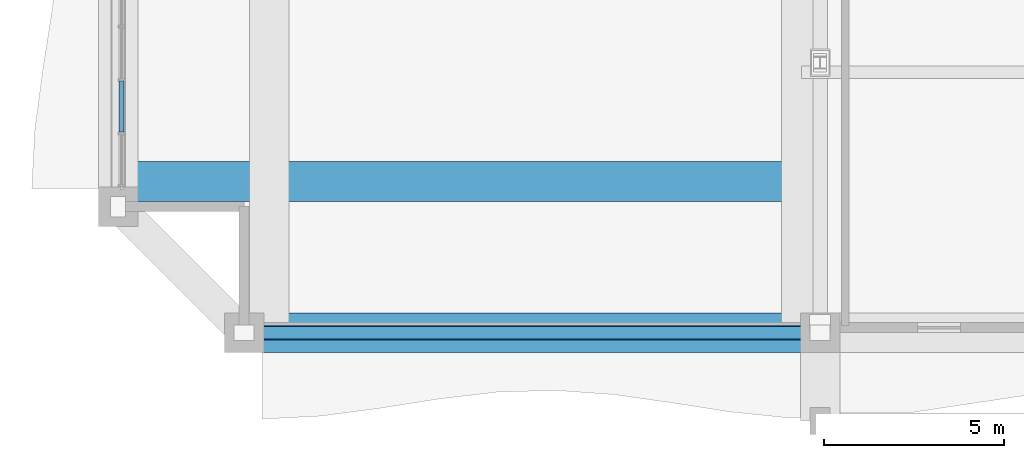
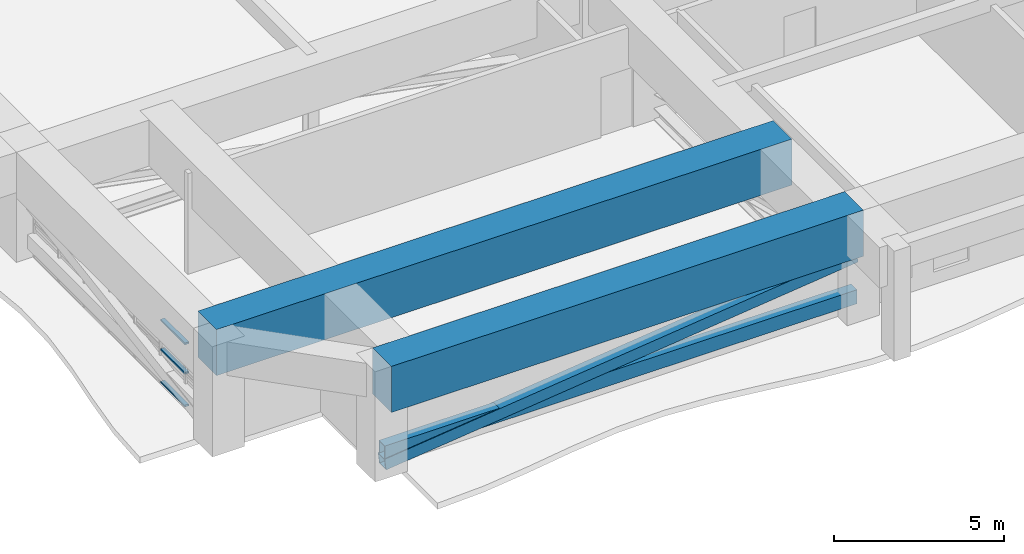
# One storey, part 3 of 35: 5 members, 2 beams, 1 element without a shape of its own.
"""IFC4 building model written with IfcOpenShell, lengths in metres."""

from ifc_helpers import new_model, si_unit, direction, frame, origin, origin_2d, place, context, subcontext, project, spatial, rectangle, hollow_rectangle, extrude, source, transform, mapped, material, layer, layer_set, material_profile, profile_set, type_object, element, aggregate, save


model = new_model("IFC4")

# Units and contexts
model_context = context("Model", 3, precision=1e-05, world=origin(), true_north=direction((0.0, 1.0)))
body_context = subcontext(model_context, "Body", "Model", "MODEL_VIEW")
ifc_project = project(units=[si_unit("LENGTHUNIT", "METRE"), si_unit("AREAUNIT", "SQUARE_METRE"), si_unit("VOLUMEUNIT", "CUBIC_METRE"), si_unit("PLANEANGLEUNIT", "RADIAN"), si_unit("MASSUNIT", "GRAM", prefix="KILO")], contexts=[model_context])

# Site, building, storey
site_placement = place(None, origin())
site = spatial("IfcSite", under=ifc_project, at=site_placement, CompositionType="ELEMENT")
building_placement = place(site_placement, origin())
building = spatial("IfcBuilding", under=site, at=building_placement, Name="Saelheon Loggia Tower", CompositionType="ELEMENT")
storey_placement = place(building_placement, frame((0.0, 0.0, 70.39990234375)))
storey = spatial("IfcBuildingStorey", under=building, at=storey_placement, Name="L22", CompositionType="ELEMENT", Elevation=70.39990234375)

# Beams
ifc_material_1 = material(Name="Concrete C50/60", Category="concrete")
ifc_material_profile_1 = material_profile(ifc_material_1, rectangle(XDim=1.10009765625, YDim=1.64990234375, at=origin_2d()), Name="RC-1100x1650")
ifc_profile_set_1 = profile_set([ifc_material_profile_1], Name="Concrete C50/60")
beam_type_1 = type_object("IfcBeamType", Name="Beam_PerimMega_RC1100x1650", PredefinedType="BEAM", material=ifc_profile_set_1)
shared_shape_1 = source(origin(), body_context, "Body", "SweptSolid", [
    extrude(rectangle(XDim=1.10009765625, YDim=1.64990234375, at=origin_2d()), origin(), (0.0, 0.0, 1.0), 16.0),
])
beam_1_placement = place(storey_placement, frame((15.5, 3.0, 3.125), z_axis=(1.0, 0.0, 0.0), x_axis=(0.0, 1.0, 0.0)))
element("IfcBeam", 1, at=beam_1_placement, inside=storey, type_object=beam_type_1, Name="L22 Perimeter Frame Girder 01", PredefinedType="BEAM", context=body_context, shape_type="MappedRepresentation", body=[
    mapped(shared_shape_1, transform((0.0, 0.0, 0.0), scale=1.0)),
])
ifc_material_profile_2 = material_profile(ifc_material_1, rectangle(XDim=1.10009765625, YDim=1.64990234375, at=origin_2d()), Name="RC-1100x1650")
ifc_profile_set_2 = profile_set([ifc_material_profile_2], Name="Concrete C50/60")
beam_type_2 = type_object("IfcBeamType", Name="Beam_MegaTransfer_RC1100x1650", PredefinedType="BEAM", material=ifc_profile_set_2)
shared_shape_2 = source(origin(), body_context, "Body", "SweptSolid", [
    extrude(rectangle(XDim=1.10009765625, YDim=1.64990234375, at=origin_2d()), origin(), (0.0, 0.0, 1.0), 19.5),
])
beam_2_placement = place(storey_placement, frame((12.0, 7.199951171875, 3.125), z_axis=(1.0, 0.0, 0.0), x_axis=(0.0, 1.0, 0.0)))
element("IfcBeam", 2, at=beam_2_placement, inside=storey, type_object=beam_type_2, Name="TG-L22-SH-SW", PredefinedType="BEAM", context=body_context, shape_type="MappedRepresentation", body=[
    mapped(shared_shape_2, transform((0.0, 0.0, 0.0), scale=1.0)),
])

# Members
ifc_material_2 = material(Name="Steel SM355", Category="steel")
ifc_material_profile_3 = material_profile(ifc_material_2, hollow_rectangle(XDim=0.35009765625, YDim=0.5, WallThickness=0.02197265625, at=origin_2d()), Name="RHS-500x350x22")
ifc_profile_set_3 = profile_set([ifc_material_profile_3], Name="Steel SM355")
member_type_1 = type_object("IfcMemberType", Name="Belt_Chord_RHS500", PredefinedType="CHORD", material=ifc_profile_set_3)
shared_shape_3 = source(origin(), body_context, "Body", "SweptSolid", [
    extrude(hollow_rectangle(XDim=0.35009765625, YDim=0.5, WallThickness=0.02197265625, at=origin_2d()), origin(), (0.0, 0.0, 1.0), 16.0),
])
member_1_placement = place(storey_placement, frame((15.5, 3.0, 0.6201171875), z_axis=(1.0, 0.0, 0.0), x_axis=(0.0, 1.0, 0.0)))
element("IfcMember", 3, at=member_1_placement, inside=storey, type_object=member_type_1, Name="L22 Belt Truss Chord BS1", PredefinedType="CHORD", context=body_context, shape_type="MappedRepresentation", body=[
    mapped(shared_shape_3, transform((0.0, 0.0, 0.0), scale=1.0)),
])
ifc_material_profile_4 = material_profile(ifc_material_2, hollow_rectangle(XDim=0.39990234375, YDim=0.39990234375, WallThickness=0.02001953125, at=origin_2d()), Name="RHS-400x400x20")
ifc_profile_set_4 = profile_set([ifc_material_profile_4], Name="Steel SM355")
member_type_2 = type_object("IfcMemberType", Name="Belt_Brace_RHS400", PredefinedType="BRACE", material=ifc_profile_set_4)
shared_shape_4 = source(origin(), body_context, "Body", "SweptSolid", [
    extrude(hollow_rectangle(XDim=0.39990234375, YDim=0.39990234375, WallThickness=0.02001953125, at=origin_2d()), origin(), (0.0, 0.0, 1.0), 16.106689453125),
])
member_2_placement = place(storey_placement, frame((15.5, 3.0, 0.22021484375), z_axis=(0.993382754474, 0.0, 0.114850786295), x_axis=(0.0, 1.0, 0.0)))
element("IfcMember", 4, at=member_2_placement, inside=storey, type_object=member_type_2, Name="L22 Belt Truss Brace BS1", PredefinedType="BRACE", context=body_context, shape_type="MappedRepresentation", body=[
    mapped(shared_shape_4, transform((0.0, 0.0, 0.0), scale=1.0)),
])

# Curtain wall, members
ifc_material_3 = material(Name="Anodised Aluminium Acoustic Louvre Curtain Wall", Category="aluminium")
ifc_layer = layer(ifc_material_3, 0.179931640625)
ifc_layer_set = layer_set([ifc_layer], Name="Anodised Aluminium Acoustic Louvre Curtain Wall")
curtain_wall_type = type_object("IfcCurtainWallType", Name="CW_RefugeAcoustic", PredefinedType="NOTDEFINED", material=ifc_layer_set)
curtain_wall_placement = place(storey_placement, origin())
curtain_wall = element("IfcCurtainWall", 5, at=curtain_wall_placement, inside=storey, type_object=curtain_wall_type, Name="L22 W Refuge Acoustic Curtain Wall 1", PredefinedType="NOTDEFINED")
ifc_material_4 = material(Name="Anodised Aluminium 6063-T6", Category="aluminium")
ifc_material_profile_5 = material_profile(ifc_material_4, hollow_rectangle(XDim=0.06494140625, YDim=0.139892578125, WallThickness=0.00390625, at=origin_2d()), Name="RHS-140x65x4")
ifc_profile_set_5 = profile_set([ifc_material_profile_5], Name="Anodised Aluminium 6063-T6")
member_type_3 = type_object("IfcMemberType", Name="CW_RefugeAcoustic_Transom", PredefinedType="USERDEFINED", material=ifc_profile_set_5)
shared_shape_5 = source(origin(), body_context, "Body", "SweptSolid", [
    extrude(hollow_rectangle(XDim=0.06494140625, YDim=0.139892578125, WallThickness=0.00390625, at=origin_2d()), origin(), (0.0, 0.0, 1.0), 1.4208984375),
])
member_3_placement = place(storey_placement, frame((12.10009765625, 8.568115234375, 0.03271484375), z_axis=(0.0, 1.0, 0.0), x_axis=(0.0, 0.0, 1.0)))
member_3 = element("IfcMember", 6, at=member_3_placement, type_object=member_type_3, Name="CW5 transom 2.1", ObjectType="TRANSOM", PredefinedType="USERDEFINED", context=body_context, shape_type="MappedRepresentation", body=[
    mapped(shared_shape_5, transform((0.0, 0.0, 0.0), scale=1.0)),
])
member_4_placement = place(storey_placement, frame((12.10009765625, 8.568115234375, 1.2001953125), z_axis=(0.0, 1.0, 0.0), x_axis=(0.0, 0.0, 1.0)))
member_4 = element("IfcMember", 7, at=member_4_placement, type_object=member_type_3, Name="CW5 transom 2.2", ObjectType="TRANSOM", PredefinedType="USERDEFINED", context=body_context, shape_type="MappedRepresentation", body=[
    mapped(shared_shape_5, transform((0.0, 0.0, 0.0), scale=1.0)),
])
member_5_placement = place(storey_placement, frame((12.10009765625, 8.568115234375, 2.257568359375), z_axis=(0.0, 1.0, 0.0), x_axis=(0.0, 0.0, 1.0)))
member_5 = element("IfcMember", 8, at=member_5_placement, type_object=member_type_3, Name="CW5 transom 2.3", ObjectType="TRANSOM", PredefinedType="USERDEFINED", context=body_context, shape_type="MappedRepresentation", body=[
    mapped(shared_shape_5, transform((0.0, 0.0, 0.0), scale=1.0)),
])
aggregate(curtain_wall, [member_3, member_4, member_5])

save(model, "model.ifc")
